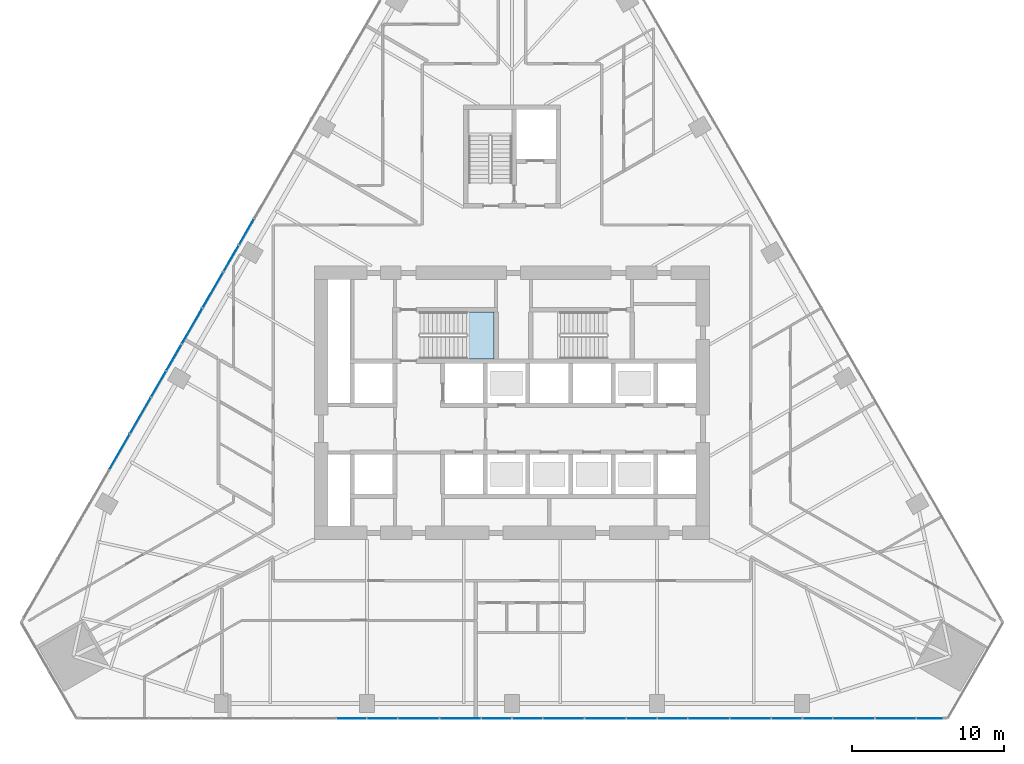
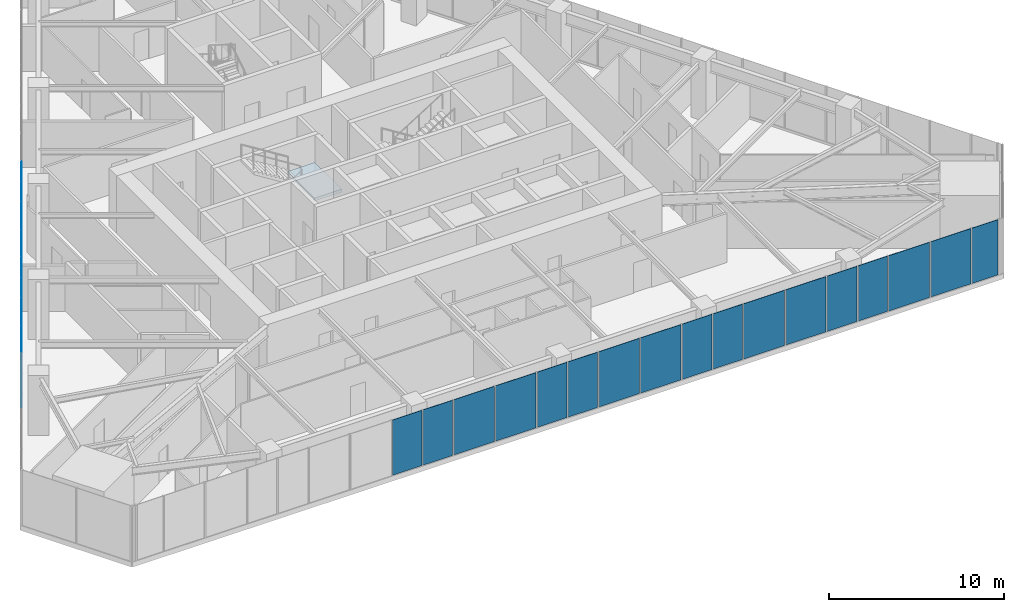
# One storey, part 14 of 25: 25 plates, 1 slab, 3 elements without a shape of their own.
"""IFC4 building model written with IfcOpenShell, lengths in metres."""

import ifcopenshell
import ifcopenshell.guid

model = None  # the IFC model being written
_history = None  # IfcOwnerHistory: only IFC2X3 demands one
_inside = {}  # id of a spatial element -> (the spatial element, [elements in it])
_under = {}  # id of a project, library or spatial element -> (it, [spatial elements below it])
_declared = {}  # id of a project -> (the project, [libraries it declares])
_typed = {}  # id of a type object -> (the type object, [elements of that type])
_made_of = {}  # id of a material, layer set ... -> (it, [elements and type objects made of it])


def new_model(schema):
    """Start an empty IFC model of exactly this schema.

    Asked for "IFC4X3", IfcOpenShell would pick the latest addendum, in which some entities
    have other attributes; the version numbers below select the first issue.
    IFC2X3 requires an IfcOwnerHistory on every rooted entity: one is made here for all.
    """
    global model, _history
    if schema == "IFC4X3":
        model = ifcopenshell.file(schema_version=(4, 3, 0, 0))
    else:
        model = ifcopenshell.file(schema=schema)
    _inside.clear()
    _under.clear()
    _declared.clear()
    _typed.clear()
    _made_of.clear()
    _history = None
    if model.schema == "IFC2X3":
        org = make("IfcOrganization", Name="unknown")
        user = make(
            "IfcPersonAndOrganization",
            ThePerson=make("IfcPerson", FamilyName="unknown"),
            TheOrganization=org,
        )
        app = make(
            "IfcApplication",
            ApplicationDeveloper=org,
            Version="unknown",
            ApplicationFullName="unknown",
            ApplicationIdentifier="unknown",
        )
        _history = make(
            "IfcOwnerHistory",
            OwningUser=user,
            OwningApplication=app,
            ChangeAction="ADDED",
            CreationDate=0,
        )
    return model


def make(cls, **values):
    """One entity of the class cls with the attributes given. An attribute that is None is left unset."""
    return model.create_entity(
        cls, **{name: value for name, value in values.items() if value is not None}
    )


def rooted(cls, **values):
    """An entity with a GlobalId (a new one), such as an element, a storey or a relation."""
    return make(cls, GlobalId=ifcopenshell.guid.new(), OwnerHistory=_history, **values)


def si_unit(unit_type, name, prefix=None):
    """IfcSIUnit, for example si_unit("LENGTHUNIT", "METRE", prefix="MILLI")."""
    return make("IfcSIUnit", UnitType=unit_type, Prefix=prefix, Name=name)


def assignment(units):
    """IfcUnitAssignment: the units of a project."""
    return None if units is None else make("IfcUnitAssignment", Units=units)


def point(xyz):
    """IfcCartesianPoint."""
    return None if xyz is None else make("IfcCartesianPoint", Coordinates=xyz)


def direction(xyz):
    """IfcDirection."""
    return None if xyz is None else make("IfcDirection", DirectionRatios=xyz)


def frame(location, z_axis=None, x_axis=None):
    """IfcAxis2Placement3D, a coordinate frame: its origin and axes. An axis left out is left unset."""
    return make(
        "IfcAxis2Placement3D",
        Location=point(location),
        Axis=direction(z_axis),
        RefDirection=direction(x_axis),
    )


def origin():
    """The frame at (0, 0, 0) with its axes left unset."""
    return frame((0.0, 0.0, 0.0))


def place(relative_to, where):
    """IfcLocalPlacement: puts the frame where relative to a parent placement (None: the world)."""
    return make(
        "IfcLocalPlacement", PlacementRelTo=relative_to, RelativePlacement=where
    )


def context(
    kind, dimensions, precision=None, world=None, true_north=None, identifier=None
):
    """IfcGeometricRepresentationContext, for example the 3D "Model" context."""
    return make(
        "IfcGeometricRepresentationContext",
        ContextIdentifier=identifier,
        ContextType=kind,
        CoordinateSpaceDimension=dimensions,
        Precision=precision,
        WorldCoordinateSystem=world,
        TrueNorth=true_north,
    )


def subcontext(parent, identifier, kind, view, scale=None):
    """IfcGeometricRepresentationSubContext, for example "Body" below "Model"."""
    return make(
        "IfcGeometricRepresentationSubContext",
        ContextIdentifier=identifier,
        ContextType=kind,
        ParentContext=parent,
        TargetScale=scale,
        TargetView=view,
    )


def project(units=None, contexts=None):
    """IfcProject with its units and contexts."""
    return rooted(
        "IfcProject",
        Name="project",
        RepresentationContexts=contexts,
        UnitsInContext=assignment(units),
    )


def spatial(cls, under=None, at=None, **own):
    """A site, building, storey or space (cls), placed at a placement, below another one or the project."""
    s = rooted(cls, ObjectPlacement=at, **own)
    if under is not None:
        _under.setdefault(under.id(), (under, []))[1].append(s)
    return s


def polyline(points):
    """IfcPolyline through the points."""
    return make("IfcPolyline", Points=[point(p) for p in points])


def outline(outer, holes=None, kind="AREA"):
    """IfcArbitraryClosedProfileDef: a profile drawn as a closed curve; with holes, ...WithVoids."""
    if holes is None:
        return make("IfcArbitraryClosedProfileDef", ProfileType=kind, OuterCurve=outer)
    return make(
        "IfcArbitraryProfileDefWithVoids",
        ProfileType=kind,
        OuterCurve=outer,
        InnerCurves=holes,
    )


def extrude(swept, where, along, depth):
    """IfcExtrudedAreaSolid: the profile swept, set in the frame where, extruded along a direction by depth."""
    return make(
        "IfcExtrudedAreaSolid",
        SweptArea=swept,
        Position=where,
        ExtrudedDirection=direction(along),
        Depth=depth,
    )


def shape(context_of_items, identifier, shape_type, items):
    """IfcShapeRepresentation: the items that make up one representation, for example the "Body"."""
    return make(
        "IfcShapeRepresentation",
        ContextOfItems=context_of_items,
        RepresentationIdentifier=identifier,
        RepresentationType=shape_type,
        Items=items,
    )


def material(Name=None, Category=None):
    """IfcMaterial."""
    return make("IfcMaterial", Name=Name, Category=Category)


def layer(
    of_material, thickness, ventilated=None, Name=None, Category=None, Priority=None
):
    """IfcMaterialLayer: one layer of a wall or slab, of a material (None: an air gap)."""
    return make(
        "IfcMaterialLayer",
        Material=of_material,
        LayerThickness=thickness,
        IsVentilated=ventilated,
        Name=Name,
        Category=Category,
        Priority=Priority,
    )


def layer_set(layers, Name=None):
    """IfcMaterialLayerSet."""
    return make("IfcMaterialLayerSet", MaterialLayers=layers, LayerSetName=Name)


def made_of(thing, what):
    """Note that an element or type object is made of a material, layer set ...; save() writes the relation."""
    if what is not None:
        _made_of.setdefault(what.id(), (what, []))[1].append(thing)
    return thing


def type_object(cls, material=None, **own):
    """A type object (cls), such as IfcWallType, which elements share."""
    return made_of(rooted(cls, **own), material)


def element(
    cls,
    number,
    at=None,
    inside=None,
    cuts=None,
    type_object=None,
    material=None,
    context=None,
    identifier="Body",
    shape_type=None,
    held_by="IfcProductDefinitionShape",
    body=None,
    shapes=None,
    **own,
):
    """One element of the class cls, such as IfcWall. Its Tag is "e" and its number.

    at: its placement. inside: the storey or other place that contains it. cuts: it is an
    opening in that element (IfcRelVoidsElement). A single representation is given by context,
    identifier, shape_type and body (its items); several are given by shapes. held_by: the class
    of the entity that holds the representations. save() writes the other relations.
    """
    e = rooted(cls, Tag="e%d" % number, ObjectPlacement=at, **own)
    if body is not None:
        shapes = [shape(context, identifier, shape_type, body)]
    if shapes is not None:
        e.Representation = make(held_by, Representations=shapes)
    if inside is not None:
        _inside.setdefault(inside.id(), (inside, []))[1].append(e)
    if cuts is not None:
        rooted(
            "IfcRelVoidsElement", RelatingBuildingElement=cuts, RelatedOpeningElement=e
        )
    if type_object is not None:
        _typed.setdefault(type_object.id(), (type_object, []))[1].append(e)
    return made_of(e, material)


def aggregate(whole, parts):
    """IfcRelAggregates: a whole, such as a stair, and the parts it consists of."""
    return rooted("IfcRelAggregates", RelatingObject=whole, RelatedObjects=parts)


def save(model, path):
    """Write the relations noted so far, then the file.

    IfcRelAggregates (storeys below a building ...), IfcRelContainedInSpatialStructure (elements
    in a storey), IfcRelDefinesByType, IfcRelAssociatesMaterial and IfcRelDeclares: one each for
    every whole, place, type object, material and project.
    """
    for whole, parts in _under.values():
        aggregate(whole, parts)
    for where, things in _inside.values():
        rooted(
            "IfcRelContainedInSpatialStructure",
            RelatedElements=things,
            RelatingStructure=where,
        )
    for kind, things in _typed.values():
        rooted("IfcRelDefinesByType", RelatedObjects=things, RelatingType=kind)
    for what, things in _made_of.values():
        rooted("IfcRelAssociatesMaterial", RelatedObjects=things, RelatingMaterial=what)
    for by, libraries in _declared.values():
        rooted("IfcRelDeclares", RelatingContext=by, RelatedDefinitions=libraries)
    model.write(path)


model = new_model("IFC4")

# Units and contexts
model_context = context("Model", 3, precision=1e-05, world=origin(), true_north=direction((0.0, 1.0)))
body_context = subcontext(model_context, "Body", "Model", "MODEL_VIEW")
ifc_project = project(units=[si_unit("LENGTHUNIT", "METRE"), si_unit("AREAUNIT", "SQUARE_METRE"), si_unit("VOLUMEUNIT", "CUBIC_METRE"), si_unit("PLANEANGLEUNIT", "RADIAN"), si_unit("MASSUNIT", "GRAM", prefix="KILO")], contexts=[model_context])

# Site, building, storey
site_placement = place(None, origin())
site = spatial("IfcSite", under=ifc_project, at=site_placement, CompositionType="ELEMENT")
building_placement = place(site_placement, origin())
building = spatial("IfcBuilding", under=site, at=building_placement, Name="Firuza Gate Tower and Library", CompositionType="ELEMENT")
storey_placement = place(building_placement, frame((0.0, 0.0, 61.0)))
storey = spatial("IfcBuildingStorey", under=building, at=storey_placement, Name="L13", CompositionType="ELEMENT", Elevation=61.0)

# Curtain wall, plates
ifc_material_1 = material(Name="Aluminium 6063-T6", Category="aluminium")
ifc_layer_1 = layer(ifc_material_1, 0.14990234375)
ifc_layer_set_1 = layer_set([ifc_layer_1], Name="Unitised curtain wall, offices")
curtain_wall_type = type_object("IfcCurtainWallType", Name="Unitised curtain wall, offices", PredefinedType="NOTDEFINED", material=ifc_layer_set_1)
placement = place(storey_placement, origin())
curtain_wall_1 = element("IfcCurtainWall", 1, at=placement, inside=storey, type_object=curtain_wall_type, Name="CW1 L13 S face", PredefinedType="NOTDEFINED")
ifc_material_2 = material(Name="Fritted glass", Category="glass")
ifc_layer_2 = layer(ifc_material_2, 0.030029296875)
ifc_layer_set_2 = layer_set([ifc_layer_2], Name="Fritted glass unit, offices")
plate_type_1 = type_object("IfcPlateType", Name="Fritted glass unit, offices", PredefinedType="CURTAIN_PANEL", material=ifc_layer_set_2)
plate_1_placement = place(storey_placement, frame((63.484130859375, 54.239013671875, 0.14990234375), z_axis=(0.0, -1.0, 0.0), x_axis=(1.0, 0.0, 0.0)))
plate_1 = element("IfcPlate", 2, at=plate_1_placement, type_object=plate_type_1, Name="Glass unit", PredefinedType="CURTAIN_PANEL", context=body_context, shape_type="SweptSolid", body=[
    extrude(outline(polyline([(0.0, 0.0), (1.927001953125, 0.0), (1.927001953125, 3.85009765625), (0.0, 3.85009765625), (0.0, 0.0)])), origin(), (0.0, 0.0, -1.0), 0.030029296875),
])
plate_2_placement = place(storey_placement, frame((65.4912109375, 54.239013671875, 0.14990234375), z_axis=(0.0, -1.0, 0.0), x_axis=(1.0, 0.0, 0.0)))
plate_2 = element("IfcPlate", 3, at=plate_2_placement, type_object=plate_type_1, Name="Glass unit", PredefinedType="CURTAIN_PANEL", context=body_context, shape_type="SweptSolid", body=[
    extrude(outline(polyline([(0.0, 0.0), (1.95556640625, 0.0), (1.95556640625, 3.85009765625), (0.0, 3.85009765625), (0.0, 0.0)])), origin(), (0.0, 0.0, -1.0), 0.030029296875),
])
plate_3_placement = place(storey_placement, frame((73.018798828125, 54.239013671875, 0.14990234375), z_axis=(0.0, -1.0, 0.0), x_axis=(1.0, 0.0, 0.0)))
plate_3 = element("IfcPlate", 4, at=plate_3_placement, type_object=plate_type_1, Name="Glass unit", PredefinedType="CURTAIN_PANEL", context=body_context, shape_type="SweptSolid", body=[
    extrude(outline(polyline([(0.0, 0.0), (1.941162109375, 0.0), (1.941162109375, 3.85009765625), (0.0, 3.85009765625), (0.0, 0.0)])), origin(), (0.0, 0.0, -1.0), 0.030029296875),
])
plate_4_placement = place(storey_placement, frame((75.0400390625, 54.239013671875, 0.14990234375), z_axis=(0.0, -1.0, 0.0), x_axis=(1.0, 0.0, 0.0)))
plate_4 = element("IfcPlate", 5, at=plate_4_placement, type_object=plate_type_1, Name="Glass unit", PredefinedType="CURTAIN_PANEL", context=body_context, shape_type="SweptSolid", body=[
    extrude(outline(polyline([(0.0, 0.0), (1.941162109375, 0.0), (1.941162109375, 3.85009765625), (0.0, 3.85009765625), (0.0, 0.0)])), origin(), (0.0, 0.0, -1.0), 0.030029296875),
])
plate_5_placement = place(storey_placement, frame((82.55322265625, 54.239013671875, 0.14990234375), z_axis=(0.0, -1.0, 0.0), x_axis=(1.0, 0.0, 0.0)))
plate_5 = element("IfcPlate", 6, at=plate_5_placement, type_object=plate_type_1, Name="Glass unit", PredefinedType="CURTAIN_PANEL", context=body_context, shape_type="SweptSolid", body=[
    extrude(outline(polyline([(0.0, 0.0), (1.95556640625, 0.0), (1.95556640625, 3.85009765625), (0.0, 3.85009765625), (0.0, 0.0)])), origin(), (0.0, 0.0, -1.0), 0.030029296875),
])
plate_6_placement = place(storey_placement, frame((84.5888671875, 54.239013671875, 0.14990234375), z_axis=(0.0, -1.0, 0.0), x_axis=(1.0, 0.0, 0.0)))
plate_6 = element("IfcPlate", 7, at=plate_6_placement, type_object=plate_type_1, Name="Glass unit", PredefinedType="CURTAIN_PANEL", context=body_context, shape_type="SweptSolid", body=[
    extrude(outline(polyline([(0.0, 0.0), (1.927001953125, 0.0), (1.927001953125, 3.85009765625), (0.0, 3.85009765625), (0.0, 0.0)])), origin(), (0.0, 0.0, -1.0), 0.030029296875),
])
plate_7_placement = place(storey_placement, frame((92.087646484375, 54.239013671875, 0.14990234375), z_axis=(0.0, -1.0, 0.0), x_axis=(1.0, 0.0, 0.0)))
plate_7 = element("IfcPlate", 8, at=plate_7_placement, type_object=plate_type_1, Name="Glass unit", PredefinedType="CURTAIN_PANEL", context=body_context, shape_type="SweptSolid", body=[
    extrude(outline(polyline([(0.0, 0.0), (1.97021484375, 0.0), (1.97021484375, 3.85009765625), (0.0, 3.85009765625), (0.0, 0.0)])), origin(), (0.0, 0.0, -1.0), 0.030029296875),
])
plate_8_placement = place(storey_placement, frame((94.1376953125, 54.239013671875, 0.14990234375), z_axis=(0.0, -1.0, 0.0), x_axis=(1.0, 0.0, 0.0)))
plate_8 = element("IfcPlate", 9, at=plate_8_placement, type_object=plate_type_1, Name="Glass unit", PredefinedType="CURTAIN_PANEL", context=body_context, shape_type="SweptSolid", body=[
    extrude(outline(polyline([(0.0, 0.0), (1.91259765625, 0.0), (1.91259765625, 3.85009765625), (0.0, 3.85009765625), (0.0, 0.0)])), origin(), (0.0, 0.0, -1.0), 0.030029296875),
])
plate_9_placement = place(storey_placement, frame((101.6220703125, 54.239013671875, 0.14990234375), z_axis=(0.0, -1.0, 0.0), x_axis=(1.0, 0.0, 0.0)))
plate_9 = element("IfcPlate", 10, at=plate_9_placement, type_object=plate_type_1, Name="Glass unit", PredefinedType="CURTAIN_PANEL", context=body_context, shape_type="SweptSolid", body=[
    extrude(outline(polyline([(0.0, 0.0), (1.718505859375, 0.0), (1.718505859375, 3.85009765625), (0.0, 3.85009765625), (0.0, 0.0)])), origin(), (0.0, 0.0, -1.0), 0.030029296875),
])

curtain_wall_2 = element("IfcCurtainWall", 11, at=placement, inside=storey, type_object=curtain_wall_type, Name="CW1 L13 W face", PredefinedType="NOTDEFINED")
plate_10_placement = place(storey_placement, frame((58.010986328125, 87.096435546875, 0.14990234375), z_axis=(-0.866005469285, 0.500034525977, 0.0), x_axis=(-0.500034525977, -0.866005469285, 0.0)))
plate_10 = element("IfcPlate", 12, at=plate_10_placement, type_object=plate_type_1, Name="Glass unit", PredefinedType="CURTAIN_PANEL", context=body_context, shape_type="SweptSolid", body=[
    extrude(outline(polyline([(0.0, 0.0), (1.941272201362005, 0.0), (1.941272201362005, 3.85009765625), (0.0, 3.85009765625), (0.0, 0.0)])), origin(), (0.0, 0.0, -1.0), 0.030029296875),
])
plate_11_placement = place(storey_placement, frame((57.00048828125, 85.345947265625, 0.14990234375), z_axis=(-0.866005469285, 0.500034525977, 0.0), x_axis=(-0.500034525977, -0.866005469285, 0.0)))
plate_11 = element("IfcPlate", 13, at=plate_11_placement, type_object=plate_type_1, Name="Glass unit", PredefinedType="CURTAIN_PANEL", context=body_context, shape_type="SweptSolid", body=[
    extrude(outline(polyline([(0.0, 0.0), (1.941272201362005, 0.0), (1.941272201362005, 3.85009765625), (0.0, 3.85009765625), (0.0, 0.0)])), origin(), (0.0, 0.0, -1.0), 0.030029296875),
])
plate_12_placement = place(storey_placement, frame((53.243896484375, 78.83935546875, 0.14990234375), z_axis=(-0.866006819391, 0.500032187732, 0.0), x_axis=(-0.500032187732, -0.866006819391, 0.0)))
plate_12 = element("IfcPlate", 14, at=plate_12_placement, type_object=plate_type_1, Name="Glass unit", PredefinedType="CURTAIN_PANEL", context=body_context, shape_type="SweptSolid", body=[
    extrude(outline(polyline([(0.0, 0.0), (1.9559287736792204, 0.0), (1.9559287736792204, 3.85009765625), (0.0, 3.85009765625), (0.0, 0.0)])), origin(), (0.0, 0.0, -1.0), 0.030029296875),
])
plate_13_placement = place(storey_placement, frame((52.225830078125, 77.076416015625, 0.14990234375), z_axis=(-0.866035778077, 0.499982030767, 0.0), x_axis=(-0.499982030767, -0.866035778077, 0.0)))
plate_13 = element("IfcPlate", 15, at=plate_13_placement, type_object=plate_type_1, Name="Glass unit", PredefinedType="CURTAIN_PANEL", context=body_context, shape_type="SweptSolid", body=[
    extrude(outline(polyline([(0.0, 0.0), (1.9268270597083808, 0.0), (1.9268270597083808, 3.85009765625), (0.0, 3.85009765625), (0.0, 0.0)])), origin(), (0.0, 0.0, -1.0), 0.030029296875),
])

# Plate
ifc_material_3 = material(Name="Glazed ceramic tile")
ifc_layer_3 = layer(ifc_material_3, 0.030029296875)
ifc_layer_set_3 = layer_set([ifc_layer_3], Name="Opaque ceramic panel, offices")
plate_type_2 = type_object("IfcPlateType", Name="Opaque ceramic panel, offices", PredefinedType="CURTAIN_PANEL", material=ifc_layer_set_3)
plate_14_placement = place(storey_placement, frame((67.52685546875, 54.239013671875, 0.14990234375), z_axis=(0.0, -1.0, 0.0), x_axis=(1.0, 0.0, 0.0)))
plate_14 = element("IfcPlate", 16, at=plate_14_placement, type_object=plate_type_2, Name="Opaque ceramic panel", PredefinedType="CURTAIN_PANEL", context=body_context, shape_type="SweptSolid", body=[
    extrude(outline(polyline([(0.0, 0.0), (2.65869140625, 0.0), (2.65869140625, 3.85009765625), (0.0, 3.85009765625), (0.0, 0.0)])), origin(), (0.0, 0.0, -1.0), 0.030029296875),
])

plate_15_placement = place(storey_placement, frame((70.265625, 54.239013671875, 0.14990234375), z_axis=(0.0, -1.0, 0.0), x_axis=(1.0, 0.0, 0.0)))
plate_15 = element("IfcPlate", 17, at=plate_15_placement, type_object=plate_type_2, Name="Opaque ceramic panel", PredefinedType="CURTAIN_PANEL", context=body_context, shape_type="SweptSolid", body=[
    extrude(outline(polyline([(0.0, 0.0), (2.673095703125, 0.0), (2.673095703125, 3.85009765625), (0.0, 3.85009765625), (0.0, 0.0)])), origin(), (0.0, 0.0, -1.0), 0.030029296875),
])

plate_16_placement = place(storey_placement, frame((77.061279296875, 54.239013671875, 0.14990234375), z_axis=(0.0, -1.0, 0.0), x_axis=(1.0, 0.0, 0.0)))
plate_16 = element("IfcPlate", 18, at=plate_16_placement, type_object=plate_type_2, Name="Opaque ceramic panel", PredefinedType="CURTAIN_PANEL", context=body_context, shape_type="SweptSolid", body=[
    extrude(outline(polyline([(0.0, 0.0), (2.673095703125, 0.0), (2.673095703125, 3.85009765625), (0.0, 3.85009765625), (0.0, 0.0)])), origin(), (0.0, 0.0, -1.0), 0.030029296875),
])

plate_17_placement = place(storey_placement, frame((79.814453125, 54.239013671875, 0.14990234375), z_axis=(0.0, -1.0, 0.0), x_axis=(1.0, 0.0, 0.0)))
plate_17 = element("IfcPlate", 19, at=plate_17_placement, type_object=plate_type_2, Name="Opaque ceramic panel", PredefinedType="CURTAIN_PANEL", context=body_context, shape_type="SweptSolid", body=[
    extrude(outline(polyline([(0.0, 0.0), (2.65869140625, 0.0), (2.65869140625, 3.85009765625), (0.0, 3.85009765625), (0.0, 0.0)])), origin(), (0.0, 0.0, -1.0), 0.030029296875),
])

plate_18_placement = place(storey_placement, frame((86.595703125, 54.239013671875, 0.14990234375), z_axis=(0.0, -1.0, 0.0), x_axis=(1.0, 0.0, 0.0)))
plate_18 = element("IfcPlate", 20, at=plate_18_placement, type_object=plate_type_2, Name="Opaque ceramic panel", PredefinedType="CURTAIN_PANEL", context=body_context, shape_type="SweptSolid", body=[
    extrude(outline(polyline([(0.0, 0.0), (2.687744140625, 0.0), (2.687744140625, 3.85009765625), (0.0, 3.85009765625), (0.0, 0.0)])), origin(), (0.0, 0.0, -1.0), 0.030029296875),
])

plate_19_placement = place(storey_placement, frame((89.36328125, 54.239013671875, 0.14990234375), z_axis=(0.0, -1.0, 0.0), x_axis=(1.0, 0.0, 0.0)))
plate_19 = element("IfcPlate", 21, at=plate_19_placement, type_object=plate_type_2, Name="Opaque ceramic panel", PredefinedType="CURTAIN_PANEL", context=body_context, shape_type="SweptSolid", body=[
    extrude(outline(polyline([(0.0, 0.0), (2.644287109375, 0.0), (2.644287109375, 3.85009765625), (0.0, 3.85009765625), (0.0, 0.0)])), origin(), (0.0, 0.0, -1.0), 0.030029296875),
])

plate_20_placement = place(storey_placement, frame((96.130126953125, 54.239013671875, 0.14990234375), z_axis=(0.0, -1.0, 0.0), x_axis=(1.0, 0.0, 0.0)))
plate_20 = element("IfcPlate", 22, at=plate_20_placement, type_object=plate_type_2, Name="Opaque ceramic panel", PredefinedType="CURTAIN_PANEL", context=body_context, shape_type="SweptSolid", body=[
    extrude(outline(polyline([(0.0, 0.0), (2.7021484375, 0.0), (2.7021484375, 3.85009765625), (0.0, 3.85009765625), (0.0, 0.0)])), origin(), (0.0, 0.0, -1.0), 0.030029296875),
])

plate_21_placement = place(storey_placement, frame((98.912109375, 54.239013671875, 0.14990234375), z_axis=(0.0, -1.0, 0.0), x_axis=(1.0, 0.0, 0.0)))
plate_21 = element("IfcPlate", 23, at=plate_21_placement, type_object=plate_type_2, Name="Opaque ceramic panel", PredefinedType="CURTAIN_PANEL", context=body_context, shape_type="SweptSolid", body=[
    extrude(outline(polyline([(0.0, 0.0), (2.6298828125, 0.0), (2.6298828125, 3.85009765625), (0.0, 3.85009765625), (0.0, 0.0)])), origin(), (0.0, 0.0, -1.0), 0.030029296875),
])

aggregate(curtain_wall_1, [plate_1, plate_2, plate_14, plate_15, plate_3, plate_4, plate_16, plate_17, plate_5, plate_6, plate_18, plate_19, plate_7, plate_8, plate_20, plate_21, plate_9])

plate_22_placement = place(storey_placement, frame((55.98974609375, 83.595458984375, 0.14990234375), z_axis=(-0.866025902152, 0.499999136801, 0.0), x_axis=(-0.499999136801, -0.866025902152, 0.0)))
plate_22 = element("IfcPlate", 24, at=plate_22_placement, type_object=plate_type_2, Name="Opaque ceramic panel", PredefinedType="CURTAIN_PANEL", context=body_context, shape_type="SweptSolid", body=[
    extrude(outline(polyline([(0.0, 0.0), (2.6733444590071462, 0.0), (2.6733444590071462, 3.85009765625), (0.0, 3.85009765625), (0.0, 0.0)])), origin(), (0.0, 0.0, -1.0), 0.030029296875),
])

plate_23_placement = place(storey_placement, frame((54.613037109375, 81.211181640625, 0.14990234375), z_axis=(-0.866025021616, 0.500000661934, 0.0), x_axis=(-0.500000661934, -0.866025021616, 0.0)))
plate_23 = element("IfcPlate", 25, at=plate_23_placement, type_object=plate_type_2, Name="Opaque ceramic panel", PredefinedType="CURTAIN_PANEL", context=body_context, shape_type="SweptSolid", body=[
    extrude(outline(polyline([(0.0, 0.0), (2.6586878864976127, 0.0), (2.6586878864976127, 3.85009765625), (0.0, 3.85009765625), (0.0, 0.0)])), origin(), (0.0, 0.0, -1.0), 0.030029296875),
])

plate_24_placement = place(storey_placement, frame((51.222412109375, 75.33837890625, 0.14990234375), z_axis=(-0.866043397086, 0.499968833392, 0.0), x_axis=(-0.499968833392, -0.866043397086, 0.0)))
plate_24 = element("IfcPlate", 26, at=plate_24_placement, type_object=plate_type_2, Name="Opaque ceramic panel", PredefinedType="CURTAIN_PANEL", context=body_context, shape_type="SweptSolid", body=[
    extrude(outline(polyline([(0.0, 0.0), (2.687667530959376, 0.0), (2.687667530959376, 3.85009765625), (0.0, 3.85009765625), (0.0, 0.0)])), origin(), (0.0, 0.0, -1.0), 0.030029296875),
])

plate_25_placement = place(storey_placement, frame((49.838623046875, 72.941650390625, 0.14990234375), z_axis=(-0.866047212878, 0.499962223639, 0.0), x_axis=(-0.499962223639, -0.866047212878, 0.0)))
plate_25 = element("IfcPlate", 27, at=plate_25_placement, type_object=plate_type_2, Name="Opaque ceramic panel", PredefinedType="CURTAIN_PANEL", context=body_context, shape_type="SweptSolid", body=[
    extrude(outline(polyline([(0.0, 0.0), (2.644242748486787, 0.0), (2.644242748486787, 3.850097656250001), (0.0, 3.850097656250001), (0.0, 0.0)])), origin(), (0.0, 0.0, -1.0), 0.030029296875),
])

aggregate(curtain_wall_2, [plate_10, plate_11, plate_22, plate_23, plate_12, plate_13, plate_24, plate_25])

# Stair, slab
ifc_material_4 = material(Name="Concrete C35/45", Category="concrete")
stair_type = type_object("IfcStairType", Name="Exit stair ST5", PredefinedType="HALF_TURN_STAIR", material=ifc_material_4)
stair = element("IfcStair", 28, at=placement, inside=storey, type_object=stair_type, Name="L13 Stair ST1", PredefinedType="HALF_TURN_STAIR")
ifc_material_5 = material(Name="Concrete C35/45", Category="concrete")
ifc_layer_4 = layer(ifc_material_5, 0.199951171875)
ifc_layer_set_4 = layer_set([ifc_layer_4], Name="Stair landing 200")
slab_type = type_object("IfcSlabType", Name="Stair landing 200", PredefinedType="LANDING", material=ifc_layer_set_4)
slab_placement = place(storey_placement, frame((0.0, 0.0, 1.89990234375)))
slab = element("IfcSlab", 29, at=slab_placement, type_object=slab_type, Name="ST1 landing 1", PredefinedType="LANDING", context=body_context, shape_type="SweptSolid", body=[
    extrude(outline(polyline([(72.02001953125, 77.89990234375), (73.81005859375, 77.89990234375), (73.81005859375, 80.97998046875), (72.02001953125, 80.97998046875), (72.02001953125, 77.89990234375)])), origin(), (0.0, 0.0, 1.0), 0.2001953125),
])
aggregate(stair, [slab])

save(model, "model.ifc")
